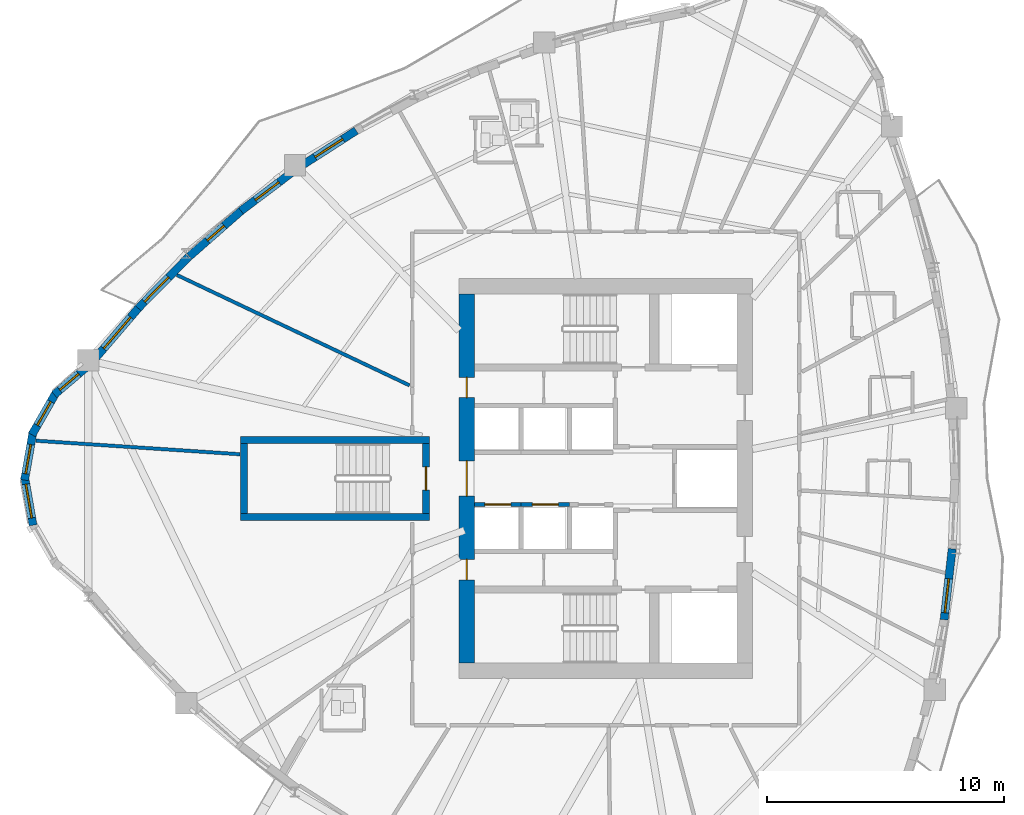
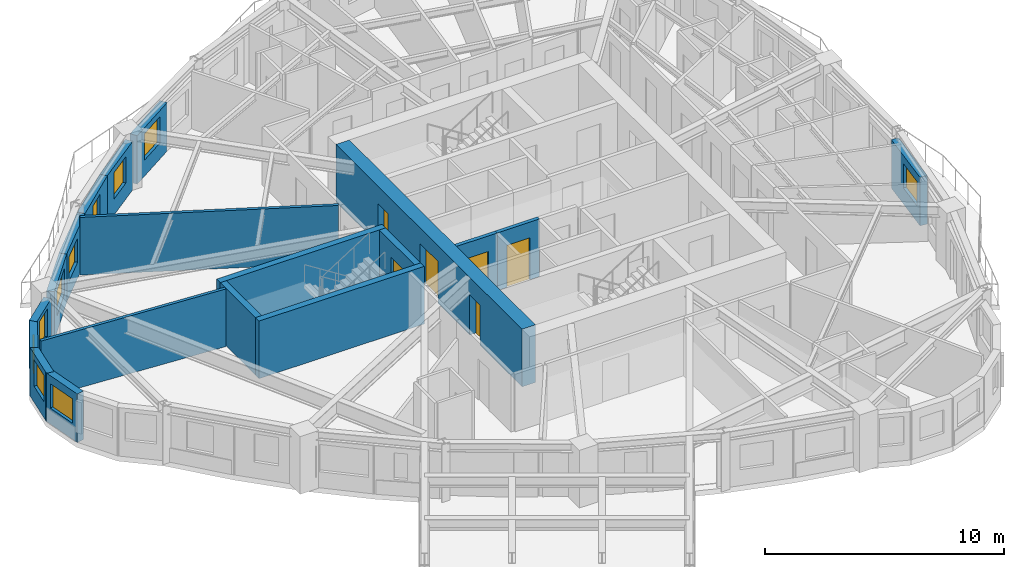
# One storey, part 7 of 17: 19 walls, 10 windows, 6 doors, 16 openings.
"""IFC4 building model written with IfcOpenShell, lengths in metres."""

from ifc_helpers import new_model, si_unit, direction, frame, frame_2d, origin, place, context, subcontext, project, spatial, rectangle, extrude, source, transform, mapped, material, layer, layer_set, type_object, element, fill, save


model = new_model("IFC4")

# Units and contexts
model_context = context("Model", 3, precision=1e-05, world=origin(), true_north=direction((0.0, 1.0)))
body_context = subcontext(model_context, "Body", "Model", "MODEL_VIEW")
ifc_project = project(units=[si_unit("LENGTHUNIT", "METRE"), si_unit("AREAUNIT", "SQUARE_METRE"), si_unit("VOLUMEUNIT", "CUBIC_METRE"), si_unit("PLANEANGLEUNIT", "RADIAN"), si_unit("MASSUNIT", "GRAM", prefix="KILO")], contexts=[model_context])

# Site, building, storey
site_placement = place(None, origin())
site = spatial("IfcSite", under=ifc_project, at=site_placement, CompositionType="ELEMENT")
building_placement = place(site_placement, origin())
building = spatial("IfcBuilding", under=site, at=building_placement, Name="Qafzar Sky-Pleat Residences", CompositionType="ELEMENT")
storey_placement = place(building_placement, frame((0.0, 0.0, 115.199951171875)))
storey = spatial("IfcBuildingStorey", under=building, at=storey_placement, Name="L34", CompositionType="ELEMENT", Elevation=115.199951171875)

# Wall, opening, door
ifc_material_1 = material(Name="Concrete blockwork partition", Category="masonry")
ifc_layer_1 = layer(ifc_material_1, 0.179931640625)
ifc_layer_set_1 = layer_set([ifc_layer_1], Name="Concrete blockwork partition")
wall_type_1 = type_object("IfcWallType", Name="PART-SHAFT-180", PredefinedType="PARTITIONING", material=ifc_layer_set_1)
wall_1_placement = place(storey_placement, frame((24.81005859375, 24.89990234375, 0.0), z_axis=(0.0, 0.0, 1.0), x_axis=(1.0, 0.0, 0.0)))
wall_1 = element("IfcWall", 1, at=wall_1_placement, inside=storey, type_object=wall_type_1, Name="L34 Partition Wall PART-L34-P1-N", PredefinedType="PARTITIONING", context=body_context, shape_type="SweptSolid", body=[
    extrude(rectangle(XDim=1.96484375, YDim=0.179931640625, at=frame_2d((0.982421875, 0.0))), origin(), (0.0, 0.0, 1.0), 2.949951171875),
])
opening_1_placement = place(wall_1_placement, frame((0.4326171875, 0.0, 0.0)))
opening_1 = element("IfcOpeningElement", 2, at=opening_1_placement, cuts=wall_1, Name="Opening LD-01", PredefinedType="OPENING", context=body_context, shape_type="SweptSolid", body=[
    extrude(rectangle(XDim=1.10009765625, YDim=2.14990234375, at=frame_2d((0.550048828125, 1.074951171875))), frame((0.0, 0.10009765625, 0.0), z_axis=(0.0, -1.0, 0.0), x_axis=(1.0, 0.0, 0.0)), (0.0, 0.0, 1.0), 0.199951171875),
])
ifc_material_2 = material(Name="Stainless steel sliding landing door", Category="steel")
door_type_1 = type_object("IfcDoorType", Name="DR-LIFT-P", OperationType="DOUBLE_DOOR_SLIDING", PredefinedType="DOOR", material=ifc_material_2)
shared_shape_1 = source(origin(), body_context, "Body", "SweptSolid", [
    extrude(rectangle(XDim=1.10009765625, YDim=2.14990234375, at=frame_2d((0.550048828125, 1.074951171875))), frame((0.0, 0.02490234375, 0.0), z_axis=(0.0, -1.0, 0.0), x_axis=(1.0, 0.0, 0.0)), (0.0, 0.0, 1.0), 0.050048828125),
])
door_1_placement = place(opening_1_placement, origin())
door_1 = element("IfcDoor", 3, at=door_1_placement, inside=storey, type_object=door_type_1, Name="L34 Passenger Lift P1 Landing Door", OperationType="DOUBLE_DOOR_SLIDING", OverallHeight=2.14990234375, OverallWidth=1.10009765625, PredefinedType="DOOR", context=body_context, shape_type="MappedRepresentation", body=[
    mapped(shared_shape_1, transform((0.0, 0.0, 0.0), x_axis=(1.0, 0.0, 0.0), y_axis=(0.0, 1.0, 0.0), z_axis=(0.0, 0.0, 1.0), scale=1.0)),
])
fill(opening_1, door_1)

wall_2_placement = place(storey_placement, frame((26.77490234375, 24.89990234375, 0.0), z_axis=(0.0, 0.0, 1.0), x_axis=(1.0, 0.0, 0.0)))
wall_2 = element("IfcWall", 4, at=wall_2_placement, inside=storey, type_object=wall_type_1, Name="L34 Partition Wall PART-L34-P2-N", PredefinedType="PARTITIONING", context=body_context, shape_type="SweptSolid", body=[
    extrude(rectangle(XDim=2.050048828125, YDim=0.179931640625, at=frame_2d((1.02490234375, 0.0))), origin(), (0.0, 0.0, 1.0), 2.949951171875),
])
opening_2_placement = place(wall_2_placement, frame((0.47509765625, 0.0, 0.0)))
opening_2 = element("IfcOpeningElement", 5, at=opening_2_placement, cuts=wall_2, Name="Opening LD-01", PredefinedType="OPENING", context=body_context, shape_type="SweptSolid", body=[
    extrude(rectangle(XDim=1.10009765625, YDim=2.14990234375, at=frame_2d((0.550048828125, 1.074951171875))), frame((0.0, 0.10009765625, 0.0), z_axis=(0.0, -1.0, 0.0), x_axis=(1.0, 0.0, 0.0)), (0.0, 0.0, 1.0), 0.199951171875),
])
door_2_placement = place(opening_2_placement, origin())
door_2 = element("IfcDoor", 6, at=door_2_placement, inside=storey, type_object=door_type_1, Name="L34 Passenger Lift P2 Landing Door", OperationType="DOUBLE_DOOR_SLIDING", OverallHeight=2.14990234375, OverallWidth=1.10009765625, PredefinedType="DOOR", context=body_context, shape_type="MappedRepresentation", body=[
    mapped(shared_shape_1, transform((0.0, 0.0, 0.0), x_axis=(1.0, 0.0, 0.0), y_axis=(0.0, 1.0, 0.0), z_axis=(0.0, 0.0, 1.0), scale=1.0)),
])
fill(opening_2, door_2)

# Walls
ifc_material_3 = material(Name="Acoustic gypsum plasterboard partition", Category="gypsum")
ifc_layer_2 = layer(ifc_material_3, 0.14501953125)
ifc_layer_set_2 = layer_set([ifc_layer_2], Name="Acoustic gypsum plasterboard partition")
wall_type_2 = type_object("IfcWallType", Name="PART-UNIT-145", PredefinedType="PARTITIONING", material=ifc_layer_set_2)
wall_3_placement = place(storey_placement, frame((12.21923828125, 34.602294921875, 0.0), z_axis=(0.0, 0.0, 1.0), x_axis=(0.90346129999, -0.428669662351, 0.0)))
element("IfcWall", 7, at=wall_3_placement, inside=storey, type_object=wall_type_2, Name="L34 Partition Wall PART-L34-PW-031", PredefinedType="PARTITIONING", context=body_context, shape_type="SweptSolid", body=[
    extrude(rectangle(XDim=10.883056640625, YDim=0.14501953125, at=frame_2d((5.44140625, 0.0))), origin(), (0.0, 0.0, 1.0), 2.949951171875),
])
wall_4_placement = place(storey_placement, frame((6.260009765625, 27.597412109375, 0.0), z_axis=(0.0, 0.0, 1.0), x_axis=(0.997805352235, -0.066215398902, 0.0)))
element("IfcWall", 8, at=wall_4_placement, inside=storey, type_object=wall_type_2, Name="L34 Partition Wall PART-L34-PW-037", PredefinedType="PARTITIONING", context=body_context, shape_type="SweptSolid", body=[
    extrude(rectangle(XDim=8.646240234375, YDim=0.14501953125, at=frame_2d((4.3232421875, 0.0))), origin(), (0.0, 0.0, 1.0), 2.949951171875),
])

# Wall, opening, window
ifc_material_4 = material(Name="Precast concrete C40/50 with honed Riyadh limestone", Category="concrete")
ifc_layer_3 = layer(ifc_material_4, 0.340087890625)
ifc_layer_set_3 = layer_set([ifc_layer_3], Name="Precast concrete C40/50 with honed Riyadh limestone")
wall_type_3 = type_object("IfcWallType", Name="WALL-EXT-340", PredefinedType="SOLIDWALL", material=ifc_layer_set_3)
wall_5_placement = place(storey_placement, frame((8.4091796875, 30.7177734375, 0.0), z_axis=(0.0, 0.0, 1.0), x_axis=(-0.761134405886, -0.648594184507, 0.0)))
wall_5 = element("IfcWall", 9, at=wall_5_placement, inside=storey, type_object=wall_type_3, Name="L34 Limestone Facade Wall 1", PredefinedType="SOLIDWALL", context=body_context, shape_type="SweptSolid", body=[
    extrude(rectangle(XDim=1.804931640625, YDim=0.340087890625, at=frame_2d((0.90234375, 0.0))), origin(), (0.0, 0.0, 1.0), 2.47998046875),
])
opening_3_placement = place(wall_5_placement, frame((0.452392578125, 0.0, 0.820068359375)))
opening_3 = element("IfcOpeningElement", 10, at=opening_3_placement, cuts=wall_5, Name="Opening WN-06", PredefinedType="OPENING", context=body_context, shape_type="SweptSolid", body=[
    extrude(rectangle(XDim=1.050048828125, YDim=1.449951171875, at=frame_2d((0.52490234375, 0.72509765625))), frame((0.0, 0.18017578125, 0.0), z_axis=(0.0, -1.0, 0.0), x_axis=(1.0, 0.0, 0.0)), (0.0, 0.0, 1.0), 0.360107421875),
])
ifc_material_5 = material(Name="Solar-control low-E glass in bronze aluminium frame", Category="glass")
window_type_1 = type_object("IfcWindowType", Name="WIN-06", PartitioningType="SINGLE_PANEL", PredefinedType="WINDOW", material=ifc_material_5)
shared_shape_2 = source(origin(), body_context, "Body", "SweptSolid", [
    extrude(rectangle(XDim=1.050048828125, YDim=1.449951171875, at=frame_2d((0.52490234375, 0.72509765625))), frame((0.0, 0.030029296875, 0.0), z_axis=(0.0, -1.0, 0.0), x_axis=(1.0, 0.0, 0.0)), (0.0, 0.0, 1.0), 0.06005859375),
])
window_1_placement = place(opening_3_placement, origin())
window_1 = element("IfcWindow", 11, at=window_1_placement, inside=storey, type_object=window_type_1, Name="L34 Punched Facade Window 01", OverallHeight=1.449951171875, OverallWidth=1.050048828125, PartitioningType="SINGLE_PANEL", PredefinedType="WINDOW", context=body_context, shape_type="MappedRepresentation", body=[
    mapped(shared_shape_2, transform((0.0, 0.0, 0.0), x_axis=(1.0, 0.0, 0.0), y_axis=(0.0, 1.0, 0.0), z_axis=(0.0, 0.0, 1.0), scale=1.0)),
])
fill(opening_3, window_1)

wall_6_placement = place(storey_placement, frame((7.12060546875, 29.64990234375, 0.0), z_axis=(0.0, 0.0, 1.0), x_axis=(-0.496037473582, -0.868301114132, 0.0)))
wall_6 = element("IfcWall", 12, at=wall_6_placement, inside=storey, type_object=wall_type_3, Name="L34 Limestone Facade Wall 2", PredefinedType="SOLIDWALL", context=body_context, shape_type="SweptSolid", body=[
    extrude(rectangle(XDim=2.072998046875, YDim=0.340087890625, at=frame_2d((1.03662109375, 0.0))), origin(), (0.0, 0.0, 1.0), 2.47998046875),
])
opening_4_placement = place(wall_6_placement, frame((0.46142578125, 0.0, 0.820068359375)))
opening_4 = element("IfcOpeningElement", 13, at=opening_4_placement, cuts=wall_6, Name="Opening WN-16", PredefinedType="OPENING", context=body_context, shape_type="SweptSolid", body=[
    extrude(rectangle(XDim=1.14990234375, YDim=1.199951171875, at=frame_2d((0.574951171875, 0.60009765625))), frame((0.0, 0.18017578125, 0.0), z_axis=(0.0, -1.0, 0.0), x_axis=(1.0, 0.0, 0.0)), (0.0, 0.0, 1.0), 0.360107421875),
])
window_type_2 = type_object("IfcWindowType", Name="WIN-16", PartitioningType="SINGLE_PANEL", PredefinedType="WINDOW", material=ifc_material_5)
shared_shape_3 = source(origin(), body_context, "Body", "SweptSolid", [
    extrude(rectangle(XDim=1.14990234375, YDim=1.199951171875, at=frame_2d((0.574951171875, 0.60009765625))), frame((0.0, 0.030029296875, 0.0), z_axis=(0.0, -1.0, 0.0), x_axis=(1.0, 0.0, 0.0)), (0.0, 0.0, 1.0), 0.06005859375),
])
window_2_placement = place(opening_4_placement, origin())
window_2 = element("IfcWindow", 14, at=window_2_placement, inside=storey, type_object=window_type_2, Name="L34 Punched Facade Window 02", OverallHeight=1.199951171875, OverallWidth=1.14990234375, PartitioningType="SINGLE_PANEL", PredefinedType="WINDOW", context=body_context, shape_type="MappedRepresentation", body=[
    mapped(shared_shape_3, transform((0.0, 0.0, 0.0), x_axis=(1.0, 0.0, 0.0), y_axis=(0.0, 1.0, 0.0), z_axis=(0.0, 0.0, 1.0), scale=1.0)),
])
fill(opening_4, window_2)

wall_7_placement = place(storey_placement, frame((6.1376953125, 27.975341796875, 0.0), z_axis=(0.0, 0.0, 1.0), x_axis=(-0.172186061474, -0.985064444711, 0.0)))
wall_7 = element("IfcWall", 15, at=wall_7_placement, inside=storey, type_object=wall_type_3, Name="L34 Limestone Facade Wall 3", PredefinedType="SOLIDWALL", context=body_context, shape_type="SweptSolid", body=[
    extrude(rectangle(XDim=2.072998046875, YDim=0.340087890625, at=frame_2d((1.03662109375, 0.0))), origin(), (0.0, 0.0, 1.0), 2.47998046875),
])
opening_5_placement = place(wall_7_placement, frame((0.548583984375, 0.0, 0.820068359375)))
opening_5 = element("IfcOpeningElement", 16, at=opening_5_placement, cuts=wall_7, Name="Opening WN-11", PredefinedType="OPENING", context=body_context, shape_type="SweptSolid", body=[
    extrude(rectangle(XDim=1.25, YDim=1.35009765625, at=frame_2d((0.625, 0.675048828125))), frame((0.0, 0.18017578125, 0.0), z_axis=(0.0, -1.0, 0.0), x_axis=(1.0, 0.0, 0.0)), (0.0, 0.0, 1.0), 0.360107421875),
])
window_type_3 = type_object("IfcWindowType", Name="WIN-11", PartitioningType="SINGLE_PANEL", PredefinedType="WINDOW", material=ifc_material_5)
shared_shape_4 = source(origin(), body_context, "Body", "SweptSolid", [
    extrude(rectangle(XDim=1.25, YDim=1.35009765625, at=frame_2d((0.625, 0.675048828125))), frame((0.0, 0.030029296875, 0.0), z_axis=(0.0, -1.0, 0.0), x_axis=(1.0, 0.0, 0.0)), (0.0, 0.0, 1.0), 0.06005859375),
])
window_3_placement = place(opening_5_placement, origin())
window_3 = element("IfcWindow", 17, at=window_3_placement, inside=storey, type_object=window_type_3, Name="L34 Punched Facade Window 03", OverallHeight=1.35009765625, OverallWidth=1.25, PartitioningType="SINGLE_PANEL", PredefinedType="WINDOW", context=body_context, shape_type="MappedRepresentation", body=[
    mapped(shared_shape_4, transform((0.0, 0.0, 0.0), x_axis=(1.0, 0.0, 0.0), y_axis=(0.0, 1.0, 0.0), z_axis=(0.0, 0.0, 1.0), scale=1.0)),
])
fill(opening_5, window_3)

wall_8_placement = place(storey_placement, frame((5.78076171875, 26.066650390625, 0.0), z_axis=(0.0, 0.0, 1.0), x_axis=(0.172186061474, -0.985064444711, 0.0)))
wall_8 = element("IfcWall", 18, at=wall_8_placement, inside=storey, type_object=wall_type_3, Name="L34 Limestone Facade Wall 4", PredefinedType="SOLIDWALL", context=body_context, shape_type="SweptSolid", body=[
    extrude(rectangle(XDim=2.072998046875, YDim=0.340087890625, at=frame_2d((1.03662109375, 0.0))), origin(), (0.0, 0.0, 1.0), 2.47998046875),
])
opening_6_placement = place(wall_8_placement, frame((0.3115234375, 0.0, 0.820068359375)))
opening_6 = element("IfcOpeningElement", 19, at=opening_6_placement, cuts=wall_8, Name="Opening WN-15", PredefinedType="OPENING", context=body_context, shape_type="SweptSolid", body=[
    extrude(rectangle(XDim=1.449951171875, YDim=1.25, at=frame_2d((0.72509765625, 0.625))), frame((0.0, 0.18017578125, 0.0), z_axis=(0.0, -1.0, 0.0), x_axis=(1.0, 0.0, 0.0)), (0.0, 0.0, 1.0), 0.360107421875),
])
window_type_4 = type_object("IfcWindowType", Name="WIN-15", PartitioningType="SINGLE_PANEL", PredefinedType="WINDOW", material=ifc_material_5)
shared_shape_5 = source(origin(), body_context, "Body", "SweptSolid", [
    extrude(rectangle(XDim=1.449951171875, YDim=1.25, at=frame_2d((0.72509765625, 0.625))), frame((0.0, 0.030029296875, 0.0), z_axis=(0.0, -1.0, 0.0), x_axis=(1.0, 0.0, 0.0)), (0.0, 0.0, 1.0), 0.06005859375),
])
window_4_placement = place(opening_6_placement, origin())
window_4 = element("IfcWindow", 20, at=window_4_placement, inside=storey, type_object=window_type_4, Name="L34 Punched Facade Window 04", OverallHeight=1.25, OverallWidth=1.449951171875, PartitioningType="SINGLE_PANEL", PredefinedType="WINDOW", context=body_context, shape_type="MappedRepresentation", body=[
    mapped(shared_shape_5, transform((0.0, 0.0, 0.0), x_axis=(1.0, 0.0, 0.0), y_axis=(0.0, 1.0, 0.0), z_axis=(0.0, 0.0, 1.0), scale=1.0)),
])
fill(opening_6, window_4)

wall_9_placement = place(storey_placement, frame((44.65087890625, 20.03125, 0.0), z_axis=(0.0, 0.0, 1.0), x_axis=(0.113295171372, 0.99356137412, 0.0)))
wall_9 = element("IfcWall", 21, at=wall_9_placement, inside=storey, type_object=wall_type_3, Name="L34 Limestone Facade Wall 26", PredefinedType="SOLIDWALL", context=body_context, shape_type="SweptSolid", body=[
    extrude(rectangle(XDim=3.012451171875, YDim=0.340087890625, at=frame_2d((1.50634765625, 0.0))), origin(), (0.0, 0.0, 1.0), 2.47998046875),
])
opening_7_placement = place(wall_9_placement, frame((0.296142578125, 0.0, 0.820068359375)))
opening_7 = element("IfcOpeningElement", 22, at=opening_7_placement, cuts=wall_9, Name="Opening WN-15", PredefinedType="OPENING", context=body_context, shape_type="SweptSolid", body=[
    extrude(rectangle(XDim=1.449951171875, YDim=1.25, at=frame_2d((0.72509765625, 0.625))), frame((0.0, 0.18017578125, 0.0), z_axis=(0.0, -1.0, 0.0), x_axis=(1.0, 0.0, 0.0)), (0.0, 0.0, 1.0), 0.360107421875),
])
window_5_placement = place(opening_7_placement, origin())
window_5 = element("IfcWindow", 23, at=window_5_placement, inside=storey, type_object=window_type_4, Name="L34 Punched Facade Window 26", OverallHeight=1.25, OverallWidth=1.449951171875, PartitioningType="SINGLE_PANEL", PredefinedType="WINDOW", context=body_context, shape_type="MappedRepresentation", body=[
    mapped(shared_shape_5, transform((0.0, 0.0, 0.0), x_axis=(1.0, 0.0, 0.0), y_axis=(0.0, 1.0, 0.0), z_axis=(0.0, 0.0, 1.0), scale=1.0)),
])
fill(opening_7, window_5)

wall_10_placement = place(storey_placement, frame((19.7998046875, 40.70849609375, 0.0), z_axis=(0.0, 0.0, 1.0), x_axis=(-0.841470838401, -0.540302533883, 0.0)))
wall_10 = element("IfcWall", 24, at=wall_10_placement, inside=storey, type_object=wall_type_3, Name="L34 Limestone Facade Wall 44", PredefinedType="SOLIDWALL", context=body_context, shape_type="SweptSolid", body=[
    extrude(rectangle(XDim=2.7392578125, YDim=0.340087890625, at=frame_2d((1.36962890625, 0.0))), origin(), (0.0, 0.0, 1.0), 2.47998046875),
])
opening_8_placement = place(wall_10_placement, frame((0.674560546875, 0.0, 0.820068359375)))
opening_8 = element("IfcOpeningElement", 25, at=opening_8_placement, cuts=wall_10, Name="Opening WN-10", PredefinedType="OPENING", context=body_context, shape_type="SweptSolid", body=[
    extrude(rectangle(XDim=1.39990234375, YDim=1.35009765625, at=frame_2d((0.699951171875, 0.675048828125))), frame((0.0, 0.18017578125, 0.0), z_axis=(0.0, -1.0, 0.0), x_axis=(1.0, 0.0, 0.0)), (0.0, 0.0, 1.0), 0.360107421875),
])
window_type_5 = type_object("IfcWindowType", Name="WIN-10", PartitioningType="SINGLE_PANEL", PredefinedType="WINDOW", material=ifc_material_5)
shared_shape_6 = source(origin(), body_context, "Body", "SweptSolid", [
    extrude(rectangle(XDim=1.39990234375, YDim=1.35009765625, at=frame_2d((0.699951171875, 0.675048828125))), frame((0.0, 0.030029296875, 0.0), z_axis=(0.0, -1.0, 0.0), x_axis=(1.0, 0.0, 0.0)), (0.0, 0.0, 1.0), 0.06005859375),
])
window_6_placement = place(opening_8_placement, origin())
window_6 = element("IfcWindow", 26, at=window_6_placement, inside=storey, type_object=window_type_5, Name="L34 Punched Facade Window 44", OverallHeight=1.35009765625, OverallWidth=1.39990234375, PartitioningType="SINGLE_PANEL", PredefinedType="WINDOW", context=body_context, shape_type="MappedRepresentation", body=[
    mapped(shared_shape_6, transform((0.0, 0.0, 0.0), x_axis=(1.0, 0.0, 0.0), y_axis=(0.0, 1.0, 0.0), z_axis=(0.0, 0.0, 1.0), scale=1.0)),
])
fill(opening_8, window_6)

wall_11_placement = place(storey_placement, frame((17.128173828125, 38.97314453125, 0.0), z_axis=(0.0, 0.0, 1.0), x_axis=(-0.798381200707, -0.602152354772, 0.0)))
wall_11 = element("IfcWall", 27, at=wall_11_placement, inside=storey, type_object=wall_type_3, Name="L34 Limestone Facade Wall 45", PredefinedType="SOLIDWALL", context=body_context, shape_type="SweptSolid", body=[
    extrude(rectangle(XDim=2.755859375, YDim=0.340087890625, at=frame_2d((1.3779296875, 0.0))), origin(), (0.0, 0.0, 1.0), 2.47998046875),
])
opening_9_placement = place(wall_11_placement, frame((0.747802734375, 0.0, 0.820068359375)))
opening_9 = element("IfcOpeningElement", 28, at=opening_9_placement, cuts=wall_11, Name="Opening WN-11", PredefinedType="OPENING", context=body_context, shape_type="SweptSolid", body=[
    extrude(rectangle(XDim=1.25, YDim=1.35009765625, at=frame_2d((0.625, 0.675048828125))), frame((0.0, 0.18017578125, 0.0), z_axis=(0.0, -1.0, 0.0), x_axis=(1.0, 0.0, 0.0)), (0.0, 0.0, 1.0), 0.360107421875),
])
window_7_placement = place(opening_9_placement, origin())
window_7 = element("IfcWindow", 29, at=window_7_placement, inside=storey, type_object=window_type_3, Name="L34 Punched Facade Window 45", OverallHeight=1.35009765625, OverallWidth=1.25, PartitioningType="SINGLE_PANEL", PredefinedType="WINDOW", context=body_context, shape_type="MappedRepresentation", body=[
    mapped(shared_shape_4, transform((0.0, 0.0, 0.0), x_axis=(1.0, 0.0, 0.0), y_axis=(0.0, 1.0, 0.0), z_axis=(0.0, 0.0, 1.0), scale=1.0)),
])
fill(opening_9, window_7)

wall_12_placement = place(storey_placement, frame((14.996826171875, 37.36962890625, 0.0), z_axis=(0.0, 0.0, 1.0), x_axis=(-0.751446130796, -0.659794447166, 0.0)))
wall_12 = element("IfcWall", 30, at=wall_12_placement, inside=storey, type_object=wall_type_3, Name="L34 Limestone Facade Wall 46", PredefinedType="SOLIDWALL", context=body_context, shape_type="SweptSolid", body=[
    extrude(rectangle(XDim=2.99951171875, YDim=0.340087890625, at=frame_2d((1.499755859375, 0.0))), origin(), (0.0, 0.0, 1.0), 2.47998046875),
])
opening_10_placement = place(wall_12_placement, frame((1.03466796875, 0.0, 0.820068359375)))
opening_10 = element("IfcOpeningElement", 31, at=opening_10_placement, cuts=wall_12, Name="Opening WN-12", PredefinedType="OPENING", context=body_context, shape_type="SweptSolid", body=[
    extrude(rectangle(XDim=0.949951171875, YDim=1.35009765625, at=frame_2d((0.47509765625, 0.675048828125))), frame((0.0, 0.18017578125, 0.0), z_axis=(0.0, -1.0, 0.0), x_axis=(1.0, 0.0, 0.0)), (0.0, 0.0, 1.0), 0.360107421875),
])
window_type_6 = type_object("IfcWindowType", Name="WIN-12", PartitioningType="SINGLE_PANEL", PredefinedType="WINDOW", material=ifc_material_5)
shared_shape_7 = source(origin(), body_context, "Body", "SweptSolid", [
    extrude(rectangle(XDim=0.949951171875, YDim=1.35009765625, at=frame_2d((0.47509765625, 0.675048828125))), frame((0.0, 0.030029296875, 0.0), z_axis=(0.0, -1.0, 0.0), x_axis=(1.0, 0.0, 0.0)), (0.0, 0.0, 1.0), 0.06005859375),
])
window_8_placement = place(opening_10_placement, origin())
window_8 = element("IfcWindow", 32, at=window_8_placement, inside=storey, type_object=window_type_6, Name="L34 Punched Facade Window 46", OverallHeight=1.35009765625, OverallWidth=0.949951171875, PartitioningType="SINGLE_PANEL", PredefinedType="WINDOW", context=body_context, shape_type="MappedRepresentation", body=[
    mapped(shared_shape_7, transform((0.0, 0.0, 0.0), x_axis=(1.0, 0.0, 0.0), y_axis=(0.0, 1.0, 0.0), z_axis=(0.0, 0.0, 1.0), scale=1.0)),
])
fill(opening_10, window_8)

wall_13_placement = place(storey_placement, frame((12.72265625, 35.37158203125, 0.0), z_axis=(0.0, 0.0, 1.0), x_axis=(-0.701922597509, -0.71225323243, 0.0)))
wall_13 = element("IfcWall", 33, at=wall_13_placement, inside=storey, type_object=wall_type_3, Name="L34 Limestone Facade Wall 47", PredefinedType="SOLIDWALL", context=body_context, shape_type="SweptSolid", body=[
    extrude(rectangle(XDim=3.048583984375, YDim=0.340087890625, at=frame_2d((1.5244140625, 0.0))), origin(), (0.0, 0.0, 1.0), 2.47998046875),
])
opening_11_placement = place(wall_13_placement, frame((1.213623046875, 0.0, 0.820068359375)))
opening_11 = element("IfcOpeningElement", 34, at=opening_11_placement, cuts=wall_13, Name="Opening WN-15", PredefinedType="OPENING", context=body_context, shape_type="SweptSolid", body=[
    extrude(rectangle(XDim=1.449951171875, YDim=1.25, at=frame_2d((0.72509765625, 0.625))), frame((0.0, 0.18017578125, 0.0), z_axis=(0.0, -1.0, 0.0), x_axis=(1.0, 0.0, 0.0)), (0.0, 0.0, 1.0), 0.360107421875),
])
window_9_placement = place(opening_11_placement, origin())
window_9 = element("IfcWindow", 35, at=window_9_placement, inside=storey, type_object=window_type_4, Name="L34 Punched Facade Window 47-2", OverallHeight=1.25, OverallWidth=1.449951171875, PartitioningType="SINGLE_PANEL", PredefinedType="WINDOW", context=body_context, shape_type="MappedRepresentation", body=[
    mapped(shared_shape_5, transform((0.0, 0.0, 0.0), x_axis=(1.0, 0.0, 0.0), y_axis=(0.0, 1.0, 0.0), z_axis=(0.0, 0.0, 1.0), scale=1.0)),
])
fill(opening_11, window_9)

wall_14_placement = place(storey_placement, frame((10.64208984375, 33.264892578125, 0.0), z_axis=(0.0, 0.0, 1.0), x_axis=(-0.650694416433, -0.759339697647, 0.0)))
wall_14 = element("IfcWall", 36, at=wall_14_placement, inside=storey, type_object=wall_type_3, Name="L34 Limestone Facade Wall 48", PredefinedType="SOLIDWALL", context=body_context, shape_type="SweptSolid", body=[
    extrude(rectangle(XDim=2.9033203125, YDim=0.340087890625, at=frame_2d((1.45166015625, 0.0))), origin(), (0.0, 0.0, 1.0), 2.47998046875),
])
opening_12_placement = place(wall_14_placement, frame((0.581787109375, 0.0, 0.820068359375)))
opening_12 = element("IfcOpeningElement", 37, at=opening_12_placement, cuts=wall_14, Name="Opening WN-14", PredefinedType="OPENING", context=body_context, shape_type="SweptSolid", body=[
    extrude(rectangle(XDim=1.75, YDim=1.300048828125, at=frame_2d((0.875, 0.64990234375))), frame((0.0, 0.18017578125, 0.0), z_axis=(0.0, -1.0, 0.0), x_axis=(1.0, 0.0, 0.0)), (0.0, 0.0, 1.0), 0.360107421875),
])
window_type_7 = type_object("IfcWindowType", Name="WIN-14", PartitioningType="DOUBLE_PANEL_VERTICAL", PredefinedType="WINDOW", material=ifc_material_5)
shared_shape_8 = source(origin(), body_context, "Body", "SweptSolid", [
    extrude(rectangle(XDim=1.75, YDim=1.300048828125, at=frame_2d((0.875, 0.64990234375))), frame((0.0, 0.030029296875, 0.0), z_axis=(0.0, -1.0, 0.0), x_axis=(1.0, 0.0, 0.0)), (0.0, 0.0, 1.0), 0.06005859375),
])
window_10_placement = place(opening_12_placement, origin())
window_10 = element("IfcWindow", 38, at=window_10_placement, inside=storey, type_object=window_type_7, Name="L34 Punched Facade Window 48", OverallHeight=1.300048828125, OverallWidth=1.75, PartitioningType="SINGLE_PANEL", PredefinedType="WINDOW", context=body_context, shape_type="MappedRepresentation", body=[
    mapped(shared_shape_8, transform((0.0, 0.0, 0.0), x_axis=(1.0, 0.0, 0.0), y_axis=(0.0, 1.0, 0.0), z_axis=(0.0, 0.0, 1.0), scale=1.0)),
])
fill(opening_12, window_10)

# Walls
ifc_material_6 = material(Name="Concrete C60/75", Category="concrete")
ifc_layer_4 = layer(ifc_material_6, 0.300048828125)
ifc_layer_set_4 = layer_set([ifc_layer_4], Name="Concrete C60/75")
wall_type_4 = type_object("IfcWallType", Name="WALL-SHEAR-300", PredefinedType="SHEAR", material=ifc_layer_set_4)
for number, where, z_axis, x_axis, name in (
    (39, (14.89990234375, 24.375, 0.0), (0.0, 0.0, 1.0), (1.0, 0.0, 0.0), "L34 ST3 wall S"),
    (40, (22.89990234375, 27.625, 0.0), (0.0, 0.0, 1.0), (-1.0, 0.0, 0.0), "L34 ST3 wall N"),
):
    element("IfcWall", number, at=place(storey_placement, frame(where, z_axis=z_axis, x_axis=x_axis)), inside=storey, type_object=wall_type_4, Name=name, PredefinedType="SHEAR", context=body_context, shape_type="SweptSolid", body=[
        extrude(rectangle(XDim=8.0, YDim=0.300048828125, at=frame_2d((4.0, 0.0))), origin(), (0.0, 0.0, 1.0), 2.949951171875),
    ])
wall_15_placement = place(storey_placement, frame((15.050048828125, 27.47509765625, 0.0), z_axis=(0.0, 0.0, 1.0), x_axis=(0.0, -1.0, 0.0)))
element("IfcWall", 41, at=wall_15_placement, inside=storey, type_object=wall_type_4, Name="L34 ST3 wall W", PredefinedType="SHEAR", context=body_context, shape_type="SweptSolid", body=[
    extrude(rectangle(XDim=2.9501953125, YDim=0.300048828125, at=frame_2d((1.47509765625, 0.0))), origin(), (0.0, 0.0, 1.0), 2.949951171875),
])

# Wall, opening, door
wall_16_placement = place(storey_placement, frame((22.75, 24.52490234375, 0.0), z_axis=(0.0, 0.0, 1.0), x_axis=(0.0, 1.0, 0.0)))
wall_16 = element("IfcWall", 42, at=wall_16_placement, inside=storey, type_object=wall_type_4, Name="L34 ST3 wall E", PredefinedType="SHEAR", context=body_context, shape_type="SweptSolid", body=[
    extrude(rectangle(XDim=2.9501953125, YDim=0.300048828125, at=frame_2d((1.47509765625, 0.0))), origin(), (0.0, 0.0, 1.0), 2.949951171875),
])
opening_13_placement = place(wall_16_placement, frame((0.985107421875, 0.0, 0.0)))
opening_13 = element("IfcOpeningElement", 43, at=opening_13_placement, cuts=wall_16, Name="Opening ID-01", PredefinedType="OPENING", context=body_context, shape_type="SweptSolid", body=[
    extrude(rectangle(XDim=0.97998046875, YDim=2.14990234375, at=frame_2d((0.489990234375, 1.074951171875))), frame((0.0, 0.16015625, 0.0), z_axis=(0.0, -1.0, 0.0), x_axis=(1.0, 0.0, 0.0)), (0.0, 0.0, 1.0), 0.320068359375),
])
ifc_material_7 = material(Name="Timber-faced fire door", Category="wood")
door_type_2 = type_object("IfcDoorType", Name="DR-STAIR-980", OperationType="NOTDEFINED", PredefinedType="DOOR", material=ifc_material_7)
shared_shape_9 = source(origin(), body_context, "Body", "SweptSolid", [
    extrude(rectangle(XDim=0.97998046875, YDim=2.14990234375, at=frame_2d((0.489990234375, 1.074951171875))), frame((0.0, 0.02490234375, 0.0), z_axis=(0.0, -1.0, 0.0), x_axis=(1.0, 0.0, 0.0)), (0.0, 0.0, 1.0), 0.050048828125),
])
door_3_placement = place(opening_13_placement, origin())
door_3 = element("IfcDoor", 44, at=door_3_placement, inside=storey, type_object=door_type_2, Name="L34 Stair ST3 Fire Door", OperationType="SINGLE_SWING_RIGHT", OverallHeight=2.14990234375, OverallWidth=0.97998046875, PredefinedType="DOOR", context=body_context, shape_type="MappedRepresentation", body=[
    mapped(shared_shape_9, transform((0.0, 0.0, 0.0), x_axis=(1.0, 0.0, 0.0), y_axis=(0.0, 1.0, 0.0), z_axis=(0.0, 0.0, 1.0), scale=1.0)),
])
fill(opening_13, door_3)

# Wall, openings, doors
ifc_layer_5 = layer(ifc_material_6, 0.64990234375)
ifc_layer_set_5 = layer_set([ifc_layer_5], Name="Concrete C60/75")
wall_type_5 = type_object("IfcWallType", Name="WALL-SHEAR-650", PredefinedType="SHEAR", material=ifc_layer_set_5)
wall_17_placement = place(storey_placement, frame((24.47509765625, 33.800048828125, 0.0), z_axis=(0.0, 0.0, 1.0), x_axis=(0.0, -1.0, 0.0)))
wall_17 = element("IfcWall", 45, at=wall_17_placement, inside=storey, type_object=wall_type_5, Name="L34 CORE wall W", PredefinedType="SHEAR", context=body_context, shape_type="SweptSolid", body=[
    extrude(rectangle(XDim=15.60009765625, YDim=0.64990234375, at=frame_2d((7.800048828125, 0.0))), origin(), (0.0, 0.0, 1.0), 2.949951171875),
])
opening_14_placement = place(wall_17_placement, frame((7.050048828125, 0.0, 0.0)))
opening_14 = element("IfcOpeningElement", 46, at=opening_14_placement, cuts=wall_17, Name="Opening ID-03", PredefinedType="OPENING", context=body_context, shape_type="SweptSolid", body=[
    extrude(rectangle(XDim=1.5, YDim=2.14990234375, at=frame_2d((0.75, 1.074951171875))), frame((0.0, 0.3349609375, 0.0), z_axis=(0.0, -1.0, 0.0), x_axis=(1.0, 0.0, 0.0)), (0.0, 0.0, 1.0), 0.669921875),
])
opening_15_placement = place(wall_17_placement, frame((3.52001953125, 0.0, 0.0)))
opening_15 = element("IfcOpeningElement", 47, at=opening_15_placement, cuts=wall_17, Name="Opening ID-09", PredefinedType="OPENING", context=body_context, shape_type="SweptSolid", body=[
    extrude(rectangle(XDim=0.860107421875, YDim=2.050048828125, at=frame_2d((0.43017578125, 1.02490234375))), frame((0.0, 0.3349609375, 0.0), z_axis=(0.0, -1.0, 0.0), x_axis=(1.0, 0.0, 0.0)), (0.0, 0.0, 1.0), 0.669921875),
])
opening_16_placement = place(wall_17_placement, frame((11.219970703125, 0.0, 0.0)))
opening_16 = element("IfcOpeningElement", 48, at=opening_16_placement, cuts=wall_17, Name="Opening ID-09", PredefinedType="OPENING", context=body_context, shape_type="SweptSolid", body=[
    extrude(rectangle(XDim=0.860107421875, YDim=2.050048828125, at=frame_2d((0.43017578125, 1.02490234375))), frame((0.0, 0.3349609375, 0.0), z_axis=(0.0, -1.0, 0.0), x_axis=(1.0, 0.0, 0.0)), (0.0, 0.0, 1.0), 0.669921875),
])
door_type_3 = type_object("IfcDoorType", Name="DR-COR-1500", OperationType="DOUBLE_DOOR_SINGLE_SWING", PredefinedType="DOOR", material=ifc_material_7)
shared_shape_10 = source(origin(), body_context, "Body", "SweptSolid", [
    extrude(rectangle(XDim=1.5, YDim=2.14990234375, at=frame_2d((0.75, 1.074951171875))), frame((0.0, 0.02490234375, 0.0), z_axis=(0.0, -1.0, 0.0), x_axis=(1.0, 0.0, 0.0)), (0.0, 0.0, 1.0), 0.050048828125),
])
door_4_placement = place(opening_14_placement, origin())
door_4 = element("IfcDoor", 49, at=door_4_placement, inside=storey, type_object=door_type_3, Name="L34 Lift Lobby West Double Door", OperationType="DOUBLE_DOOR_SINGLE_SWING", OverallHeight=2.14990234375, OverallWidth=1.5, PredefinedType="DOOR", context=body_context, shape_type="MappedRepresentation", body=[
    mapped(shared_shape_10, transform((0.0, 0.0, 0.0), x_axis=(1.0, 0.0, 0.0), y_axis=(0.0, 1.0, 0.0), z_axis=(0.0, 0.0, 1.0), scale=1.0)),
])
fill(opening_14, door_4)
door_type_4 = type_object("IfcDoorType", Name="DR-SVC-860", OperationType="NOTDEFINED", PredefinedType="DOOR", material=ifc_material_7)
shared_shape_11 = source(origin(), body_context, "Body", "SweptSolid", [
    extrude(rectangle(XDim=0.860107421875, YDim=2.050048828125, at=frame_2d((0.43017578125, 1.02490234375))), frame((0.0, 0.02490234375, 0.0), z_axis=(0.0, -1.0, 0.0), x_axis=(1.0, 0.0, 0.0)), (0.0, 0.0, 1.0), 0.050048828125),
])
door_5_placement = place(opening_15_placement, origin())
door_5 = element("IfcDoor", 50, at=door_5_placement, inside=storey, type_object=door_type_4, Name="L34 Core North-West Service Door", OperationType="SINGLE_SWING_LEFT", OverallHeight=2.050048828125, OverallWidth=0.860107421875, PredefinedType="DOOR", context=body_context, shape_type="MappedRepresentation", body=[
    mapped(shared_shape_11, transform((0.0, 0.0, 0.0), x_axis=(1.0, 0.0, 0.0), y_axis=(0.0, 1.0, 0.0), z_axis=(0.0, 0.0, 1.0), scale=1.0)),
])
fill(opening_15, door_5)
door_6_placement = place(opening_16_placement, origin())
door_6 = element("IfcDoor", 51, at=door_6_placement, inside=storey, type_object=door_type_4, Name="L34 Core South-West Service Door", OperationType="SINGLE_SWING_RIGHT", OverallHeight=2.050048828125, OverallWidth=0.860107421875, PredefinedType="DOOR", context=body_context, shape_type="MappedRepresentation", body=[
    mapped(shared_shape_11, transform((0.0, 0.0, 0.0), x_axis=(1.0, 0.0, 0.0), y_axis=(0.0, 1.0, 0.0), z_axis=(0.0, 0.0, 1.0), scale=1.0)),
])
fill(opening_16, door_6)

save(model, "model.ifc")
